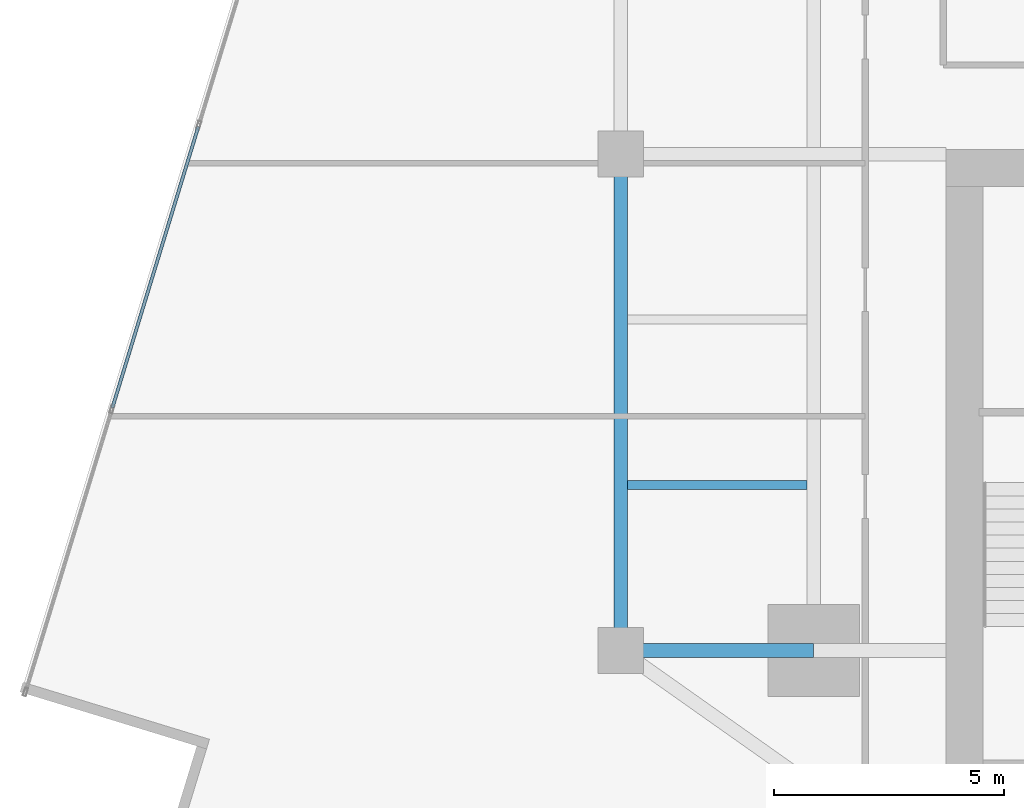
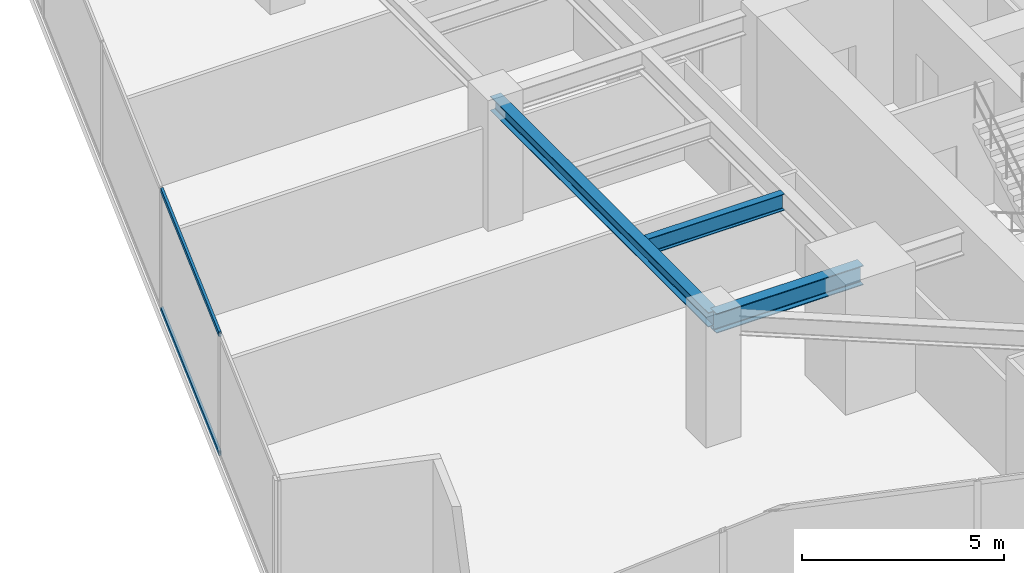
# One storey, part 6 of 26: 3 beams, 2 members, 1 element without a shape of its own.
"""IFC4 building model written with IfcOpenShell, lengths in metres."""

import ifcopenshell
import ifcopenshell.guid

model = None  # the IFC model being written
_history = None  # IfcOwnerHistory: only IFC2X3 demands one
_inside = {}  # id of a spatial element -> (the spatial element, [elements in it])
_under = {}  # id of a project, library or spatial element -> (it, [spatial elements below it])
_declared = {}  # id of a project -> (the project, [libraries it declares])
_typed = {}  # id of a type object -> (the type object, [elements of that type])
_made_of = {}  # id of a material, layer set ... -> (it, [elements and type objects made of it])


def new_model(schema):
    """Start an empty IFC model of exactly this schema.

    Asked for "IFC4X3", IfcOpenShell would pick the latest addendum, in which some entities
    have other attributes; the version numbers below select the first issue.
    IFC2X3 requires an IfcOwnerHistory on every rooted entity: one is made here for all.
    """
    global model, _history
    if schema == "IFC4X3":
        model = ifcopenshell.file(schema_version=(4, 3, 0, 0))
    else:
        model = ifcopenshell.file(schema=schema)
    _inside.clear()
    _under.clear()
    _declared.clear()
    _typed.clear()
    _made_of.clear()
    _history = None
    if model.schema == "IFC2X3":
        org = make("IfcOrganization", Name="unknown")
        user = make(
            "IfcPersonAndOrganization",
            ThePerson=make("IfcPerson", FamilyName="unknown"),
            TheOrganization=org,
        )
        app = make(
            "IfcApplication",
            ApplicationDeveloper=org,
            Version="unknown",
            ApplicationFullName="unknown",
            ApplicationIdentifier="unknown",
        )
        _history = make(
            "IfcOwnerHistory",
            OwningUser=user,
            OwningApplication=app,
            ChangeAction="ADDED",
            CreationDate=0,
        )
    return model


def make(cls, **values):
    """One entity of the class cls with the attributes given. An attribute that is None is left unset."""
    return model.create_entity(
        cls, **{name: value for name, value in values.items() if value is not None}
    )


def rooted(cls, **values):
    """An entity with a GlobalId (a new one), such as an element, a storey or a relation."""
    return make(cls, GlobalId=ifcopenshell.guid.new(), OwnerHistory=_history, **values)


def si_unit(unit_type, name, prefix=None):
    """IfcSIUnit, for example si_unit("LENGTHUNIT", "METRE", prefix="MILLI")."""
    return make("IfcSIUnit", UnitType=unit_type, Prefix=prefix, Name=name)


def assignment(units):
    """IfcUnitAssignment: the units of a project."""
    return None if units is None else make("IfcUnitAssignment", Units=units)


def point(xyz):
    """IfcCartesianPoint."""
    return None if xyz is None else make("IfcCartesianPoint", Coordinates=xyz)


def direction(xyz):
    """IfcDirection."""
    return None if xyz is None else make("IfcDirection", DirectionRatios=xyz)


def frame(location, z_axis=None, x_axis=None):
    """IfcAxis2Placement3D, a coordinate frame: its origin and axes. An axis left out is left unset."""
    return make(
        "IfcAxis2Placement3D",
        Location=point(location),
        Axis=direction(z_axis),
        RefDirection=direction(x_axis),
    )


def frame_2d(location, x_axis=None):
    """IfcAxis2Placement2D, a coordinate frame in the plane: its origin and x axis."""
    return make(
        "IfcAxis2Placement2D", Location=point(location), RefDirection=direction(x_axis)
    )


def origin():
    """The frame at (0, 0, 0) with its axes left unset."""
    return frame((0.0, 0.0, 0.0))


def origin_2d():
    """The frame at (0, 0) in the plane with its x axis left unset."""
    return frame_2d((0.0, 0.0))


def place(relative_to, where):
    """IfcLocalPlacement: puts the frame where relative to a parent placement (None: the world)."""
    return make(
        "IfcLocalPlacement", PlacementRelTo=relative_to, RelativePlacement=where
    )


def context(
    kind, dimensions, precision=None, world=None, true_north=None, identifier=None
):
    """IfcGeometricRepresentationContext, for example the 3D "Model" context."""
    return make(
        "IfcGeometricRepresentationContext",
        ContextIdentifier=identifier,
        ContextType=kind,
        CoordinateSpaceDimension=dimensions,
        Precision=precision,
        WorldCoordinateSystem=world,
        TrueNorth=true_north,
    )


def subcontext(parent, identifier, kind, view, scale=None):
    """IfcGeometricRepresentationSubContext, for example "Body" below "Model"."""
    return make(
        "IfcGeometricRepresentationSubContext",
        ContextIdentifier=identifier,
        ContextType=kind,
        ParentContext=parent,
        TargetScale=scale,
        TargetView=view,
    )


def project(units=None, contexts=None):
    """IfcProject with its units and contexts."""
    return rooted(
        "IfcProject",
        Name="project",
        RepresentationContexts=contexts,
        UnitsInContext=assignment(units),
    )


def spatial(cls, under=None, at=None, **own):
    """A site, building, storey or space (cls), placed at a placement, below another one or the project."""
    s = rooted(cls, ObjectPlacement=at, **own)
    if under is not None:
        _under.setdefault(under.id(), (under, []))[1].append(s)
    return s


def profile(cls, at=None, kind="AREA", **sizes):
    """A parametric profile (cls). Its sizes go by their IFC names, for example OverallWidth=200.0."""
    return make(cls, ProfileType=kind, Position=at, **sizes)


def hollow_rectangle(**sizes):
    """IfcRectangleHollowProfileDef."""
    return profile("IfcRectangleHollowProfileDef", **sizes)


def i_section(**sizes):
    """IfcIShapeProfileDef."""
    return profile("IfcIShapeProfileDef", **sizes)


def extrude(swept, where, along, depth):
    """IfcExtrudedAreaSolid: the profile swept, set in the frame where, extruded along a direction by depth."""
    return make(
        "IfcExtrudedAreaSolid",
        SweptArea=swept,
        Position=where,
        ExtrudedDirection=direction(along),
        Depth=depth,
    )


def shape(context_of_items, identifier, shape_type, items):
    """IfcShapeRepresentation: the items that make up one representation, for example the "Body"."""
    return make(
        "IfcShapeRepresentation",
        ContextOfItems=context_of_items,
        RepresentationIdentifier=identifier,
        RepresentationType=shape_type,
        Items=items,
    )


def source(mapping_origin, context_of_items, identifier, shape_type, items):
    """IfcRepresentationMap: a shape defined once, which mapped items show again and again."""
    return make(
        "IfcRepresentationMap",
        MappingOrigin=mapping_origin,
        MappedRepresentation=shape(context_of_items, identifier, shape_type, items),
    )


def transform(
    local_origin,
    x_axis=None,
    y_axis=None,
    z_axis=None,
    scale=None,
    scale2=None,
    scale3=None,
    uniform=True,
):
    """IfcCartesianTransformationOperator3D, or its non-uniform kind. x_axis, y_axis, z_axis: its Axis1, 2, 3."""
    if uniform:
        return make(
            "IfcCartesianTransformationOperator3D",
            Axis1=direction(x_axis),
            Axis2=direction(y_axis),
            LocalOrigin=point(local_origin),
            Scale=scale,
            Axis3=direction(z_axis),
        )
    return make(
        "IfcCartesianTransformationOperator3DnonUniform",
        Axis1=direction(x_axis),
        Axis2=direction(y_axis),
        LocalOrigin=point(local_origin),
        Scale=scale,
        Axis3=direction(z_axis),
        Scale2=scale2,
        Scale3=scale3,
    )


def mapped(mapping_source, mapping_target):
    """IfcMappedItem: shows the shape of a source again, moved by a transform."""
    return make(
        "IfcMappedItem", MappingSource=mapping_source, MappingTarget=mapping_target
    )


def material(Name=None, Category=None):
    """IfcMaterial."""
    return make("IfcMaterial", Name=Name, Category=Category)


def material_profile(
    of_material, cross_section, Name=None, Category=None, Priority=None
):
    """IfcMaterialProfile: a cross section and its material."""
    return make(
        "IfcMaterialProfile",
        Name=Name,
        Material=of_material,
        Profile=cross_section,
        Priority=Priority,
        Category=Category,
    )


def profile_set(profiles, Name=None, composite=None):
    """IfcMaterialProfileSet."""
    return make(
        "IfcMaterialProfileSet",
        Name=Name,
        MaterialProfiles=profiles,
        CompositeProfile=composite,
    )


def made_of(thing, what):
    """Note that an element or type object is made of a material, layer set ...; save() writes the relation."""
    if what is not None:
        _made_of.setdefault(what.id(), (what, []))[1].append(thing)
    return thing


def type_object(cls, material=None, **own):
    """A type object (cls), such as IfcWallType, which elements share."""
    return made_of(rooted(cls, **own), material)


def type_shapes(of_type, sources):
    """Give a type object the sources (RepresentationMaps) that its elements show as mapped items."""
    of_type.RepresentationMaps = sources


def element(
    cls,
    number,
    at=None,
    inside=None,
    cuts=None,
    type_object=None,
    material=None,
    context=None,
    identifier="Body",
    shape_type=None,
    held_by="IfcProductDefinitionShape",
    body=None,
    shapes=None,
    **own,
):
    """One element of the class cls, such as IfcWall. Its Tag is "e" and its number.

    at: its placement. inside: the storey or other place that contains it. cuts: it is an
    opening in that element (IfcRelVoidsElement). A single representation is given by context,
    identifier, shape_type and body (its items); several are given by shapes. held_by: the class
    of the entity that holds the representations. save() writes the other relations.
    """
    e = rooted(cls, Tag="e%d" % number, ObjectPlacement=at, **own)
    if body is not None:
        shapes = [shape(context, identifier, shape_type, body)]
    if shapes is not None:
        e.Representation = make(held_by, Representations=shapes)
    if inside is not None:
        _inside.setdefault(inside.id(), (inside, []))[1].append(e)
    if cuts is not None:
        rooted(
            "IfcRelVoidsElement", RelatingBuildingElement=cuts, RelatedOpeningElement=e
        )
    if type_object is not None:
        _typed.setdefault(type_object.id(), (type_object, []))[1].append(e)
    return made_of(e, material)


def aggregate(whole, parts):
    """IfcRelAggregates: a whole, such as a stair, and the parts it consists of."""
    return rooted("IfcRelAggregates", RelatingObject=whole, RelatedObjects=parts)


def save(model, path):
    """Write the relations noted so far, then the file.

    IfcRelAggregates (storeys below a building ...), IfcRelContainedInSpatialStructure (elements
    in a storey), IfcRelDefinesByType, IfcRelAssociatesMaterial and IfcRelDeclares: one each for
    every whole, place, type object, material and project.
    """
    for whole, parts in _under.values():
        aggregate(whole, parts)
    for where, things in _inside.values():
        rooted(
            "IfcRelContainedInSpatialStructure",
            RelatedElements=things,
            RelatingStructure=where,
        )
    for kind, things in _typed.values():
        rooted("IfcRelDefinesByType", RelatedObjects=things, RelatingType=kind)
    for what, things in _made_of.values():
        rooted("IfcRelAssociatesMaterial", RelatedObjects=things, RelatingMaterial=what)
    for by, libraries in _declared.values():
        rooted("IfcRelDeclares", RelatingContext=by, RelatedDefinitions=libraries)
    model.write(path)


model = new_model("IFC4")

# Units and contexts
model_context = context("Model", 3, precision=1e-05, world=origin(), true_north=direction((0.0, 1.0)))
body_context = subcontext(model_context, "Body", "Model", "MODEL_VIEW")
ifc_project = project(units=[si_unit("LENGTHUNIT", "METRE"), si_unit("AREAUNIT", "SQUARE_METRE"), si_unit("VOLUMEUNIT", "CUBIC_METRE"), si_unit("PLANEANGLEUNIT", "RADIAN"), si_unit("MASSUNIT", "GRAM", prefix="KILO")], contexts=[model_context])

# Site, building, storey
site_placement = place(None, origin())
site = spatial("IfcSite", under=ifc_project, at=site_placement, CompositionType="ELEMENT")
building_placement = place(site_placement, origin())
building = spatial("IfcBuilding", under=site, at=building_placement, Name="Krantzveldt Concourse Tower", CompositionType="ELEMENT")
storey_placement = place(building_placement, frame((0.0, 0.0, 109.800048828125)))
storey = spatial("IfcBuildingStorey", under=building, at=storey_placement, Name="L26", CompositionType="ELEMENT", Elevation=109.800048828125)

# Beams
ifc_material_1 = material(Name="Steel S355JR", Category="steel")
ifc_material_profile_1 = material_profile(ifc_material_1, i_section(OverallWidth=0.300048828125, OverallDepth=0.43994140625, WebThickness=0.011474609375, FlangeThickness=0.02099609375, FilletRadius=0.027099609375, at=origin_2d()), Name="Steel S355JR", Category="steel")
ifc_profile_set_1 = profile_set([ifc_material_profile_1], Name="Steel S355JR - HEA 450")
beam_type_1 = type_object("IfcBeamType", Name="BM-SP-HEA450", PredefinedType="SPANDREL", material=ifc_profile_set_1)
shared_shape_1 = source(origin(), body_context, "Body", "SweptSolid", [
    extrude(i_section(OverallWidth=0.300048828125, OverallDepth=0.43994140625, WebThickness=0.011474609375, FlangeThickness=0.02099609375, FilletRadius=0.027099609375, at=origin_2d()), origin(), (0.0, 0.0, 1.0), 10.800048828125),
])
type_shapes(beam_type_1, [shared_shape_1])
beam_1_placement = place(storey_placement, frame((21.0, 15.89990234375, 3.449951171875), z_axis=(0.0, 1.0, 0.0), x_axis=(-1.0, 0.0, 0.0)))
element("IfcBeam", 1, at=beam_1_placement, inside=storey, type_object=beam_type_1, Name="L26 Tower Girder SP-R01", PredefinedType="SPANDREL", context=body_context, shape_type="MappedRepresentation", body=[
    mapped(shared_shape_1, transform((0.0, 0.0, 0.0), x_axis=(1.0, 0.0, 0.0), y_axis=(0.0, 1.0, 0.0), z_axis=(0.0, 0.0, 1.0), scale=1.0)),
])
ifc_material_profile_2 = material_profile(ifc_material_1, i_section(OverallWidth=0.300048828125, OverallDepth=0.590087890625, WebThickness=0.012939453125, FlangeThickness=0.02490234375, FilletRadius=0.027099609375, at=origin_2d()), Name="Steel S355JR", Category="steel")
ifc_profile_set_2 = profile_set([ifc_material_profile_2], Name="Steel S355JR - HEA 600")
beam_type_2 = type_object("IfcBeamType", Name="BM-B-HEA600", PredefinedType="BEAM", material=ifc_profile_set_2)
shared_shape_2 = source(origin(), body_context, "Body", "SweptSolid", [
    extrude(i_section(OverallWidth=0.300048828125, OverallDepth=0.590087890625, WebThickness=0.012939453125, FlangeThickness=0.02490234375, FilletRadius=0.027099609375, at=origin_2d()), origin(), (0.0, 0.0, 1.0), 4.199951171875),
])
type_shapes(beam_type_2, [shared_shape_2])
beam_2_placement = place(storey_placement, frame((21.0, 15.89990234375, 3.375), z_axis=(1.0, 0.0, 0.0), x_axis=(0.0, 1.0, 0.0)))
element("IfcBeam", 2, at=beam_2_placement, inside=storey, type_object=beam_type_2, Name="L26 Tower Girder BR-RL1", PredefinedType="BEAM", context=body_context, shape_type="MappedRepresentation", body=[
    mapped(shared_shape_2, transform((0.0, 0.0, 0.0), x_axis=(1.0, 0.0, 0.0), y_axis=(0.0, 1.0, 0.0), z_axis=(0.0, 0.0, 1.0), scale=1.0)),
])
ifc_material_profile_3 = material_profile(ifc_material_1, i_section(OverallWidth=0.199951171875, OverallDepth=0.5, WebThickness=0.01025390625, FlangeThickness=0.01611328125, FilletRadius=0.02099609375, at=origin_2d()), Name="Steel S355JR", Category="steel")
ifc_profile_set_3 = profile_set([ifc_material_profile_3], Name="Steel S355JR - IPE 500")
beam_type_3 = type_object("IfcBeamType", Name="BM-J-IPE500", PredefinedType="JOIST", material=ifc_profile_set_3)
shared_shape_3 = source(origin(), body_context, "Body", "SweptSolid", [
    extrude(i_section(OverallWidth=0.199951171875, OverallDepth=0.5, WebThickness=0.01025390625, FlangeThickness=0.01611328125, FilletRadius=0.02099609375, at=origin_2d()), origin(), (0.0, 0.0, 1.0), 3.900146484375),
])
type_shapes(beam_type_3, [shared_shape_3])
beam_3_placement = place(storey_placement, frame((21.14990234375, 19.5, 3.419921875), z_axis=(1.0, 0.0, 0.0), x_axis=(0.0, 1.0, 0.0)))
element("IfcBeam", 3, at=beam_3_placement, inside=storey, type_object=beam_type_3, Name="L26 Secondary Floor Joist JW-1", PredefinedType="JOIST", context=body_context, shape_type="MappedRepresentation", body=[
    mapped(shared_shape_3, transform((0.0, 0.0, 0.0), x_axis=(1.0, 0.0, 0.0), y_axis=(0.0, 1.0, 0.0), z_axis=(0.0, 0.0, 1.0), scale=1.0)),
])

# Curtain wall, members
ifc_material_2 = material(Name="Anodised aluminium 6063-T6", Category="aluminium")
curtain_wall_type = type_object("IfcCurtainWallType", Name="CW2", PredefinedType="USERDEFINED", material=ifc_material_2)
curtain_wall_placement = place(storey_placement, origin())
curtain_wall = element("IfcCurtainWall", 4, at=curtain_wall_placement, inside=storey, type_object=curtain_wall_type, Name="CW-L26-F01", ObjectType="UNITISED CURTAIN WALL", PredefinedType="USERDEFINED")
ifc_material_profile_4 = material_profile(ifc_material_2, hollow_rectangle(XDim=0.070068359375, YDim=0.139892578125, WallThickness=0.0048828125, at=origin_2d()), Name="Anodised aluminium 6063-T6", Category="aluminium")
ifc_profile_set_4 = profile_set([ifc_material_profile_4], Name="Anodised aluminium 6063-T6 - ALU-TRAN 140x70x5")
member_type = type_object("IfcMemberType", Name="CW-TRN-150", PredefinedType="USERDEFINED", material=ifc_profile_set_4)
shared_shape_4 = source(origin(), body_context, "Body", "SweptSolid", [
    extrude(hollow_rectangle(XDim=0.070068359375, YDim=0.139892578125, WallThickness=0.0048828125, at=origin_2d()), origin(), (0.0, 0.0, 1.0), 6.396728515625),
])
type_shapes(member_type, [shared_shape_4])
member_1_placement = place(storey_placement, frame((11.8076171875, 27.297607421875, 0.034912109375), z_axis=(-0.292358163404, -0.956308895855, 0.0), x_axis=(0.956308895855, -0.292358163404, 0.0)))
member_1 = element("IfcMember", 5, at=member_1_placement, type_object=member_type, Name="CW-Z12 transom 5.1", ObjectType="TRANSOM", PredefinedType="USERDEFINED", context=body_context, shape_type="MappedRepresentation", body=[
    mapped(shared_shape_4, transform((0.0, 0.0, 0.0), x_axis=(1.0, 0.0, 0.0), y_axis=(0.0, 1.0, 0.0), z_axis=(0.0, 0.0, 1.0), scale=1.0)),
])
member_2_placement = place(storey_placement, frame((11.8076171875, 27.297607421875, 3.635009765625), z_axis=(-0.292358163404, -0.956308895855, 0.0), x_axis=(0.956308895855, -0.292358163404, 0.0)))
member_2 = element("IfcMember", 6, at=member_2_placement, type_object=member_type, Name="CW-Z12 transom 5.2", ObjectType="TRANSOM", PredefinedType="USERDEFINED", context=body_context, shape_type="MappedRepresentation", body=[
    mapped(shared_shape_4, transform((0.0, 0.0, 0.0), x_axis=(1.0, 0.0, 0.0), y_axis=(0.0, 1.0, 0.0), z_axis=(0.0, 0.0, 1.0), scale=1.0)),
])
aggregate(curtain_wall, [member_1, member_2])

save(model, "model.ifc")
